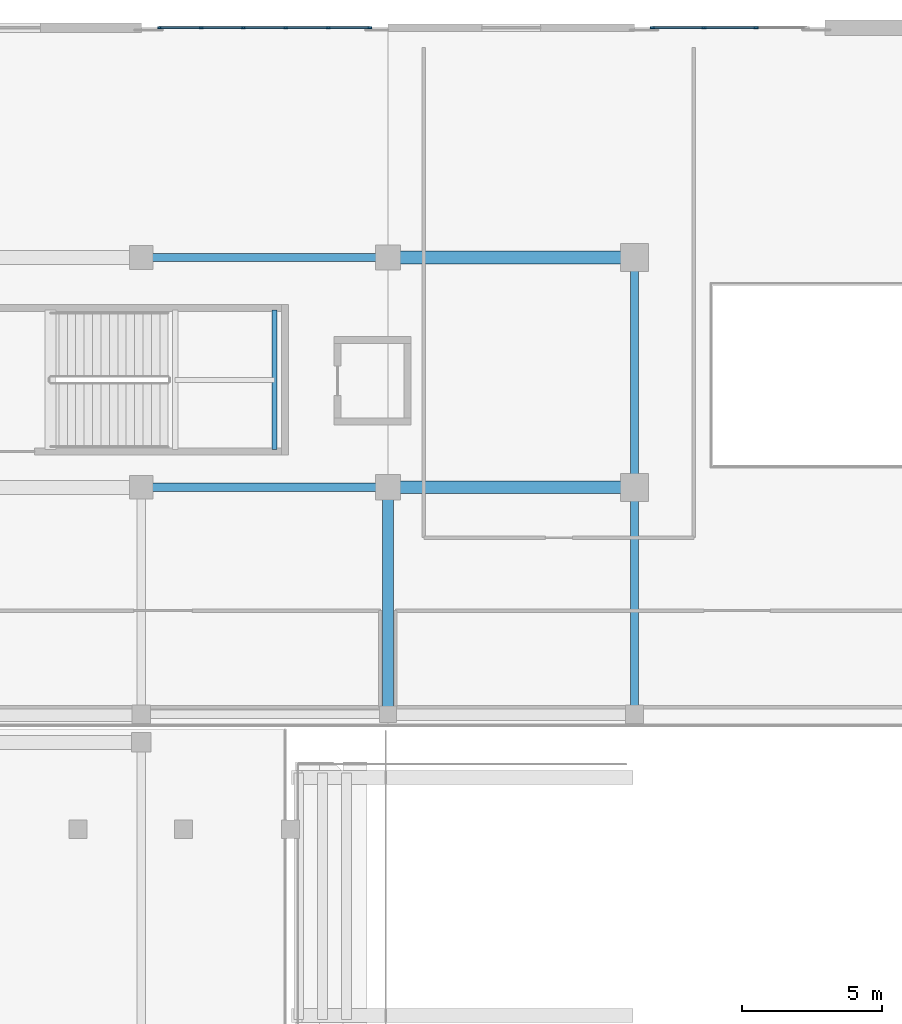
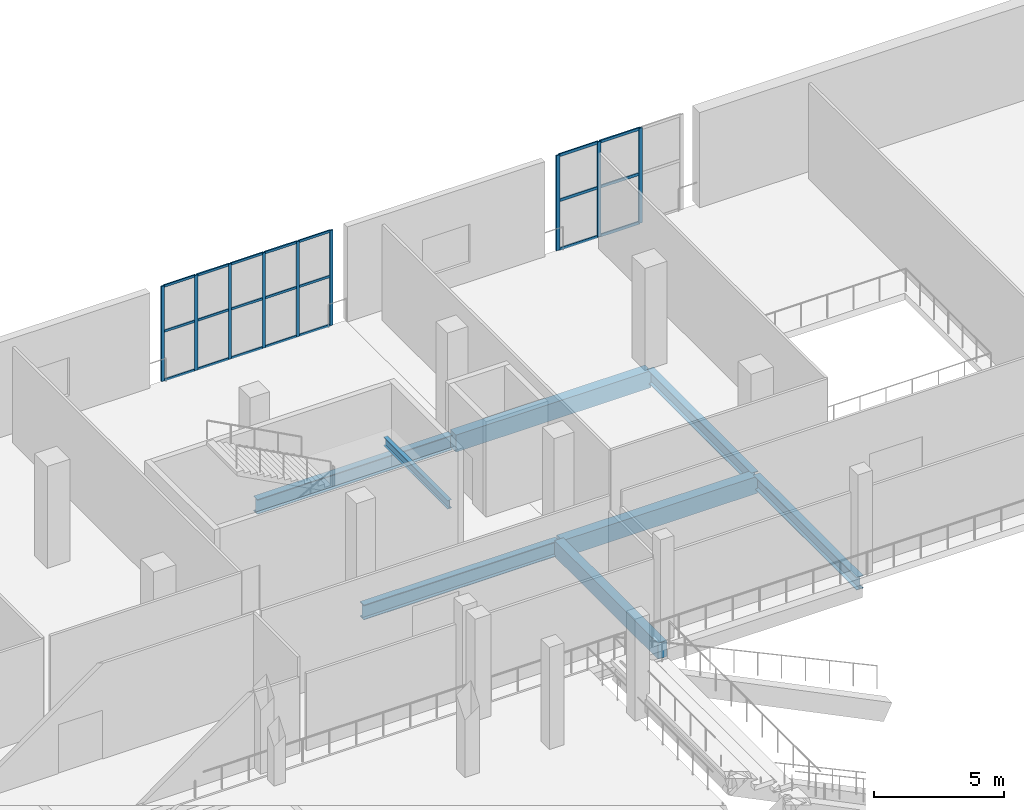
# One storey, part 50 of 129: 30 members, 8 beams, 2 elements without a shape of their own.
"""IFC4 building model written with IfcOpenShell, lengths in metres."""

from ifc_helpers import new_model, si_unit, direction, frame, origin, origin_2d, place, context, subcontext, project, spatial, rectangle, i_section, extrude, material, material_profile, profile_set, type_object, element, aggregate, save


model = new_model("IFC4")

# Units and contexts
model_context = context("Model", 3, precision=1e-05, world=origin(), true_north=direction((0.0, 1.0)))
body_context = subcontext(model_context, "Body", "Model", "MODEL_VIEW")
ifc_project = project(units=[si_unit("LENGTHUNIT", "METRE"), si_unit("AREAUNIT", "SQUARE_METRE"), si_unit("VOLUMEUNIT", "CUBIC_METRE"), si_unit("PLANEANGLEUNIT", "RADIAN"), si_unit("MASSUNIT", "GRAM", prefix="KILO")], contexts=[model_context])

# Site, building, storey
site_placement = place(None, origin())
site = spatial("IfcSite", under=ifc_project, at=site_placement, CompositionType="ELEMENT")
building_placement = place(site_placement, origin())
building = spatial("IfcBuilding", under=site, at=building_placement, Name="Koshinbarg Plaza Stadium", CompositionType="ELEMENT")
storey_placement = place(building_placement, frame((0.0, 0.0, 5.39990234375)))
storey = spatial("IfcBuildingStorey", under=building, at=storey_placement, Name="L01", CompositionType="ELEMENT", Elevation=5.39990234375)

# Beams
ifc_material_1 = material(Name="Concrete C40/50", Category="concrete")
ifc_material_profile_1 = material_profile(ifc_material_1, rectangle(XDim=0.39990234375, YDim=0.75, at=origin_2d()), Name="RC 400x750")
ifc_profile_set_1 = profile_set([ifc_material_profile_1], Name="Concrete C40/50")
beam_type_1 = type_object("IfcBeamType", Name="BM-RCG-03", PredefinedType="USERDEFINED", material=ifc_profile_set_1)
beam_1_placement = place(storey_placement, frame((72.39990234375, 127.56005859375, -0.69482421875), z_axis=(0.0, 1.0, 0.0), x_axis=(-1.0, 0.0, 0.0)))
element("IfcBeam", 1, at=beam_1_placement, inside=storey, type_object=beam_type_1, Name="L01 Y girder 10/S-T", ObjectType="GIRDER", PredefinedType="USERDEFINED", context=body_context, shape_type="SweptSolid", body=[
    extrude(rectangle(XDim=0.39990234375, YDim=0.75, at=origin_2d()), origin(), (0.0, 0.0, 1.0), 7.97998046875),
])
ifc_material_profile_2 = material_profile(ifc_material_1, rectangle(XDim=0.449951171875, YDim=0.800048828125, at=origin_2d()), Name="RC 450x800")
ifc_profile_set_2 = profile_set([ifc_material_profile_2], Name="Concrete C40/50")
beam_type_2 = type_object("IfcBeamType", Name="BM-RCG-04", PredefinedType="USERDEFINED", material=ifc_profile_set_2)
for number, where, z_axis, x_axis, name in (
    (2, (72.4599609375, 135.60009765625, -0.719970703125), (1.0, 0.0, 0.0), (0.0, 1.0, 0.0), "L01 X girder T/10-11"),
    (3, (72.4599609375, 143.800048828125, -0.719970703125), (1.0, 0.0, 0.0), (0.0, 1.0, 0.0), "L01 X girder U/10-11"),
):
    element("IfcBeam", number, at=place(storey_placement, frame(where, z_axis=z_axis, x_axis=x_axis)), inside=storey, type_object=beam_type_2, Name=name, ObjectType="GIRDER", PredefinedType="USERDEFINED", context=body_context, shape_type="SweptSolid", body=[
        extrude(rectangle(XDim=0.449951171875, YDim=0.800048828125, at=origin_2d()), origin(), (0.0, 0.0, 1.0), 8.679931640625),
    ])
ifc_material_2 = material(Name="Steel S355", Category="steel")
ifc_material_profile_3 = material_profile(ifc_material_2, i_section(OverallWidth=0.179931640625, OverallDepth=0.39990234375, WebThickness=0.008544921875, FlangeThickness=0.013427734375, at=origin_2d()), Name="IPE 400")
ifc_profile_set_3 = profile_set([ifc_material_profile_3], Name="Steel S355")
beam_type_3 = type_object("IfcBeamType", Name="BM-SBM-01", PredefinedType="BEAM", material=ifc_profile_set_3)
beam_2_placement = place(storey_placement, frame((68.35009765625, 136.949951171875, 1.880126953125), z_axis=(0.0, 1.0, 0.0), x_axis=(-1.0, 0.0, 0.0)))
element("IfcBeam", 4, at=beam_2_placement, inside=storey, type_object=beam_type_3, Name="L01 Protected Exit Stair C11 landing trimmer beam 2", PredefinedType="BEAM", context=body_context, shape_type="SweptSolid", body=[
    extrude(i_section(OverallWidth=0.179931640625, OverallDepth=0.39990234375, WebThickness=0.008544921875, FlangeThickness=0.013427734375, at=origin_2d()), origin(), (0.0, 0.0, 1.0), 4.969970703125),
])
ifc_material_profile_4 = material_profile(ifc_material_2, i_section(OverallWidth=0.300048828125, OverallDepth=0.60009765625, WebThickness=0.015380859375, FlangeThickness=0.030029296875, at=origin_2d()), Name="HEB 600")
ifc_profile_set_4 = profile_set([ifc_material_profile_4], Name="Steel S355")
beam_type_4 = type_object("IfcBeamType", Name="BM-SGIR-02", PredefinedType="USERDEFINED", material=ifc_profile_set_4)
beam_3_placement = place(storey_placement, frame((81.199951171875, 127.56005859375, -0.619873046875), z_axis=(0.0, 1.0, 0.0), x_axis=(-1.0, 0.0, 0.0)))
element("IfcBeam", 5, at=beam_3_placement, inside=storey, type_object=beam_type_4, Name="L01 Y girder 11/S-T", ObjectType="GIRDER", PredefinedType="USERDEFINED", context=body_context, shape_type="SweptSolid", body=[
    extrude(i_section(OverallWidth=0.300048828125, OverallDepth=0.60009765625, WebThickness=0.015380859375, FlangeThickness=0.030029296875, at=origin_2d()), origin(), (0.0, 0.0, 1.0), 7.97998046875),
])
beam_4_placement = place(storey_placement, frame((81.199951171875, 135.659912109375, -0.619873046875), z_axis=(0.0, 1.0, 0.0), x_axis=(-1.0, 0.0, 0.0)))
element("IfcBeam", 6, at=beam_4_placement, inside=storey, type_object=beam_type_4, Name="L01 Y girder 11/T-U", ObjectType="GIRDER", PredefinedType="USERDEFINED", context=body_context, shape_type="SweptSolid", body=[
    extrude(i_section(OverallWidth=0.300048828125, OverallDepth=0.60009765625, WebThickness=0.015380859375, FlangeThickness=0.030029296875, at=origin_2d()), origin(), (0.0, 0.0, 1.0), 8.080078125),
])
ifc_material_profile_5 = material_profile(ifc_material_2, i_section(OverallWidth=0.300048828125, OverallDepth=0.699951171875, WebThickness=0.01708984375, FlangeThickness=0.031982421875, at=origin_2d()), Name="HEB 700")
ifc_profile_set_5 = profile_set([ifc_material_profile_5], Name="Steel S355")
beam_type_5 = type_object("IfcBeamType", Name="BM-SGIR-03", PredefinedType="USERDEFINED", material=ifc_profile_set_5)
for number, where, z_axis, x_axis, name in (
    (7, (63.659912109375, 135.60009765625, -0.669921875), (1.0, 0.0, 0.0), (0.0, 1.0, 0.0), "L01 X girder T/9-10"),
    (8, (63.659912109375, 143.800048828125, -0.669921875), (1.0, 0.0, 0.0), (0.0, 1.0, 0.0), "L01 X girder U/9-10"),
):
    element("IfcBeam", number, at=place(storey_placement, frame(where, z_axis=z_axis, x_axis=x_axis)), inside=storey, type_object=beam_type_5, Name=name, ObjectType="GIRDER", PredefinedType="USERDEFINED", context=body_context, shape_type="SweptSolid", body=[
        extrude(i_section(OverallWidth=0.300048828125, OverallDepth=0.699951171875, WebThickness=0.01708984375, FlangeThickness=0.031982421875, at=origin_2d()), origin(), (0.0, 0.0, 1.0), 8.68017578125),
    ])

# Curtain wall, members
ifc_material_3 = material(Name="Thermally broken anodised aluminium and low-E double glazing", Category="aluminium")
curtain_wall_type_1 = type_object("IfcCurtainWallType", Name="CW-SYS-13", PredefinedType="NOTDEFINED", material=ifc_material_3)
curtain_wall_1_placement = place(storey_placement, origin())
curtain_wall_1 = element("IfcCurtainWall", 9, at=curtain_wall_1_placement, inside=storey, type_object=curtain_wall_type_1, Name="L01 unitised curtain wall CW-L01-012", PredefinedType="NOTDEFINED")
ifc_material_4 = material(Name="Anodised aluminium mullion", Category="aluminium")
ifc_material_profile_6 = material_profile(ifc_material_4, rectangle(XDim=0.06005859375, YDim=0.139892578125, at=origin_2d()), Name="ALU 60x140")
ifc_profile_set_6 = profile_set([ifc_material_profile_6], Name="Anodised aluminium mullion")
member_type_1 = type_object("IfcMemberType", Name="CW-MUL-01", PredefinedType="MULLION", material=ifc_profile_set_6)
member_1_placement = place(storey_placement, frame((64.25, 152.0, 0.0), z_axis=(0.0, 0.0, 1.0), x_axis=(0.0, 1.0, 0.0)))
member_1 = element("IfcMember", 10, at=member_1_placement, type_object=member_type_1, Name="CW13 mullion 1", PredefinedType="MULLION", context=body_context, shape_type="SweptSolid", body=[
    extrude(rectangle(XDim=0.06005859375, YDim=0.139892578125, at=origin_2d()), origin(), (0.0, 0.0, 1.0), 4.47998046875),
])
member_2_placement = place(storey_placement, frame((65.73193359375, 152.0, 0.0), z_axis=(0.0, 0.0, 1.0), x_axis=(0.0, 1.0, 0.0)))
member_2 = element("IfcMember", 11, at=member_2_placement, type_object=member_type_1, Name="CW13 mullion 2", PredefinedType="MULLION", context=body_context, shape_type="SweptSolid", body=[
    extrude(rectangle(XDim=0.06005859375, YDim=0.139892578125, at=origin_2d()), origin(), (0.0, 0.0, 1.0), 4.47998046875),
])
member_3_placement = place(storey_placement, frame((67.243896484375, 152.0, 0.0), z_axis=(0.0, 0.0, 1.0), x_axis=(0.0, 1.0, 0.0)))
member_3 = element("IfcMember", 12, at=member_3_placement, type_object=member_type_1, Name="CW13 mullion 3", PredefinedType="MULLION", context=body_context, shape_type="SweptSolid", body=[
    extrude(rectangle(XDim=0.06005859375, YDim=0.139892578125, at=origin_2d()), origin(), (0.0, 0.0, 1.0), 4.47998046875),
])
member_4_placement = place(storey_placement, frame((68.756103515625, 152.0, 0.0), z_axis=(0.0, 0.0, 1.0), x_axis=(0.0, 1.0, 0.0)))
member_4 = element("IfcMember", 13, at=member_4_placement, type_object=member_type_1, Name="CW13 mullion 4", PredefinedType="MULLION", context=body_context, shape_type="SweptSolid", body=[
    extrude(rectangle(XDim=0.06005859375, YDim=0.139892578125, at=origin_2d()), origin(), (0.0, 0.0, 1.0), 4.47998046875),
])
member_5_placement = place(storey_placement, frame((70.26806640625, 152.0, 0.0), z_axis=(0.0, 0.0, 1.0), x_axis=(0.0, 1.0, 0.0)))
member_5 = element("IfcMember", 14, at=member_5_placement, type_object=member_type_1, Name="CW13 mullion 5", PredefinedType="MULLION", context=body_context, shape_type="SweptSolid", body=[
    extrude(rectangle(XDim=0.06005859375, YDim=0.139892578125, at=origin_2d()), origin(), (0.0, 0.0, 1.0), 4.47998046875),
])
member_6_placement = place(storey_placement, frame((71.75, 152.0, 0.0), z_axis=(0.0, 0.0, 1.0), x_axis=(0.0, 1.0, 0.0)))
member_6 = element("IfcMember", 15, at=member_6_placement, type_object=member_type_1, Name="CW13 mullion 6", PredefinedType="MULLION", context=body_context, shape_type="SweptSolid", body=[
    extrude(rectangle(XDim=0.06005859375, YDim=0.139892578125, at=origin_2d()), origin(), (0.0, 0.0, 1.0), 4.47998046875),
])

curtain_wall_type_2 = type_object("IfcCurtainWallType", Name="CW-SYS-14", PredefinedType="NOTDEFINED", material=ifc_material_3)
curtain_wall_2_placement = place(storey_placement, origin())
curtain_wall_2 = element("IfcCurtainWall", 16, at=curtain_wall_2_placement, inside=storey, type_object=curtain_wall_type_2, Name="L01 unitised curtain wall CW-L01-013", PredefinedType="NOTDEFINED")
ifc_material_profile_7 = material_profile(ifc_material_4, rectangle(XDim=0.06005859375, YDim=0.159912109375, at=origin_2d()), Name="ALU 60x160")
ifc_profile_set_7 = profile_set([ifc_material_profile_7], Name="Anodised aluminium mullion")
member_type_2 = type_object("IfcMemberType", Name="CW-MUL-02", PredefinedType="MULLION", material=ifc_profile_set_7)
member_7_placement = place(storey_placement, frame((81.85009765625, 152.0, 0.0), z_axis=(0.0, 0.0, 1.0), x_axis=(0.0, 1.0, 0.0)))
member_7 = element("IfcMember", 17, at=member_7_placement, type_object=member_type_2, Name="CW14 mullion 1", PredefinedType="MULLION", context=body_context, shape_type="SweptSolid", body=[
    extrude(rectangle(XDim=0.06005859375, YDim=0.159912109375, at=origin_2d()), origin(), (0.0, 0.0, 1.0), 4.47998046875),
])
member_8_placement = place(storey_placement, frame((83.67333984375, 152.0, 0.0), z_axis=(0.0, 0.0, 1.0), x_axis=(0.0, 1.0, 0.0)))
member_8 = element("IfcMember", 18, at=member_8_placement, type_object=member_type_2, Name="CW14 mullion 2", PredefinedType="MULLION", context=body_context, shape_type="SweptSolid", body=[
    extrude(rectangle(XDim=0.06005859375, YDim=0.159912109375, at=origin_2d()), origin(), (0.0, 0.0, 1.0), 4.47998046875),
])
member_9_placement = place(storey_placement, frame((85.526611328125, 152.0, 0.0), z_axis=(0.0, 0.0, 1.0), x_axis=(0.0, 1.0, 0.0)))
member_9 = element("IfcMember", 19, at=member_9_placement, type_object=member_type_2, Name="CW14 mullion 3", PredefinedType="MULLION", context=body_context, shape_type="SweptSolid", body=[
    extrude(rectangle(XDim=0.06005859375, YDim=0.159912109375, at=origin_2d()), origin(), (0.0, 0.0, 1.0), 4.47998046875),
])

# Member
ifc_material_5 = material(Name="Anodised aluminium transom", Category="aluminium")
ifc_material_profile_8 = material_profile(ifc_material_5, rectangle(XDim=0.06005859375, YDim=0.110107421875, at=origin_2d()), Name="ALU 60x110")
ifc_profile_set_8 = profile_set([ifc_material_profile_8], Name="Anodised aluminium transom")
member_type_3 = type_object("IfcMemberType", Name="CW-TRN-01", PredefinedType="USERDEFINED", material=ifc_profile_set_8)
member_10_placement = place(storey_placement, frame((64.280029296875, 152.0, 0.030029296875), z_axis=(1.0, 0.0, 0.0), x_axis=(0.0, 1.0, 0.0)))
member_10 = element("IfcMember", 20, at=member_10_placement, type_object=member_type_3, Name="CW13 transom 1.1", ObjectType="TRANSOM", PredefinedType="USERDEFINED", context=body_context, shape_type="SweptSolid", body=[
    extrude(rectangle(XDim=0.06005859375, YDim=0.110107421875, at=origin_2d()), origin(), (0.0, 0.0, 1.0), 1.421875),
])

member_11_placement = place(storey_placement, frame((64.280029296875, 152.0, 2.32958984375), z_axis=(1.0, 0.0, 0.0), x_axis=(0.0, 1.0, 0.0)))
member_11 = element("IfcMember", 21, at=member_11_placement, type_object=member_type_3, Name="CW13 transom 1.2", ObjectType="TRANSOM", PredefinedType="USERDEFINED", context=body_context, shape_type="SweptSolid", body=[
    extrude(rectangle(XDim=0.06005859375, YDim=0.110107421875, at=origin_2d()), origin(), (0.0, 0.0, 1.0), 1.421875),
])

member_12_placement = place(storey_placement, frame((64.280029296875, 152.0, 4.4501953125), z_axis=(1.0, 0.0, 0.0), x_axis=(0.0, 1.0, 0.0)))
member_12 = element("IfcMember", 22, at=member_12_placement, type_object=member_type_3, Name="CW13 transom 1.3", ObjectType="TRANSOM", PredefinedType="USERDEFINED", context=body_context, shape_type="SweptSolid", body=[
    extrude(rectangle(XDim=0.06005859375, YDim=0.110107421875, at=origin_2d()), origin(), (0.0, 0.0, 1.0), 1.421875),
])

member_13_placement = place(storey_placement, frame((65.761962890625, 152.0, 0.030029296875), z_axis=(1.0, 0.0, 0.0), x_axis=(0.0, 1.0, 0.0)))
member_13 = element("IfcMember", 23, at=member_13_placement, type_object=member_type_3, Name="CW13 transom 2.1", ObjectType="TRANSOM", PredefinedType="USERDEFINED", context=body_context, shape_type="SweptSolid", body=[
    extrude(rectangle(XDim=0.06005859375, YDim=0.110107421875, at=origin_2d()), origin(), (0.0, 0.0, 1.0), 1.4521484375),
])

member_14_placement = place(storey_placement, frame((65.761962890625, 152.0, 2.32958984375), z_axis=(1.0, 0.0, 0.0), x_axis=(0.0, 1.0, 0.0)))
member_14 = element("IfcMember", 24, at=member_14_placement, type_object=member_type_3, Name="CW13 transom 2.2", ObjectType="TRANSOM", PredefinedType="USERDEFINED", context=body_context, shape_type="SweptSolid", body=[
    extrude(rectangle(XDim=0.06005859375, YDim=0.110107421875, at=origin_2d()), origin(), (0.0, 0.0, 1.0), 1.4521484375),
])

member_15_placement = place(storey_placement, frame((65.761962890625, 152.0, 4.4501953125), z_axis=(1.0, 0.0, 0.0), x_axis=(0.0, 1.0, 0.0)))
member_15 = element("IfcMember", 25, at=member_15_placement, type_object=member_type_3, Name="CW13 transom 2.3", ObjectType="TRANSOM", PredefinedType="USERDEFINED", context=body_context, shape_type="SweptSolid", body=[
    extrude(rectangle(XDim=0.06005859375, YDim=0.110107421875, at=origin_2d()), origin(), (0.0, 0.0, 1.0), 1.4521484375),
])

member_16_placement = place(storey_placement, frame((67.27392578125, 152.0, 0.030029296875), z_axis=(1.0, 0.0, 0.0), x_axis=(0.0, 1.0, 0.0)))
member_16 = element("IfcMember", 26, at=member_16_placement, type_object=member_type_3, Name="CW13 transom 3.1", ObjectType="TRANSOM", PredefinedType="USERDEFINED", context=body_context, shape_type="SweptSolid", body=[
    extrude(rectangle(XDim=0.06005859375, YDim=0.110107421875, at=origin_2d()), origin(), (0.0, 0.0, 1.0), 1.4521484375),
])

member_17_placement = place(storey_placement, frame((67.27392578125, 152.0, 2.32958984375), z_axis=(1.0, 0.0, 0.0), x_axis=(0.0, 1.0, 0.0)))
member_17 = element("IfcMember", 27, at=member_17_placement, type_object=member_type_3, Name="CW13 transom 3.2", ObjectType="TRANSOM", PredefinedType="USERDEFINED", context=body_context, shape_type="SweptSolid", body=[
    extrude(rectangle(XDim=0.06005859375, YDim=0.110107421875, at=origin_2d()), origin(), (0.0, 0.0, 1.0), 1.4521484375),
])

member_18_placement = place(storey_placement, frame((67.27392578125, 152.0, 4.4501953125), z_axis=(1.0, 0.0, 0.0), x_axis=(0.0, 1.0, 0.0)))
member_18 = element("IfcMember", 28, at=member_18_placement, type_object=member_type_3, Name="CW13 transom 3.3", ObjectType="TRANSOM", PredefinedType="USERDEFINED", context=body_context, shape_type="SweptSolid", body=[
    extrude(rectangle(XDim=0.06005859375, YDim=0.110107421875, at=origin_2d()), origin(), (0.0, 0.0, 1.0), 1.4521484375),
])

member_19_placement = place(storey_placement, frame((68.785888671875, 152.0, 0.030029296875), z_axis=(1.0, 0.0, 0.0), x_axis=(0.0, 1.0, 0.0)))
member_19 = element("IfcMember", 29, at=member_19_placement, type_object=member_type_3, Name="CW13 transom 4.1", ObjectType="TRANSOM", PredefinedType="USERDEFINED", context=body_context, shape_type="SweptSolid", body=[
    extrude(rectangle(XDim=0.06005859375, YDim=0.110107421875, at=origin_2d()), origin(), (0.0, 0.0, 1.0), 1.4521484375),
])

member_20_placement = place(storey_placement, frame((68.785888671875, 152.0, 2.32958984375), z_axis=(1.0, 0.0, 0.0), x_axis=(0.0, 1.0, 0.0)))
member_20 = element("IfcMember", 30, at=member_20_placement, type_object=member_type_3, Name="CW13 transom 4.2", ObjectType="TRANSOM", PredefinedType="USERDEFINED", context=body_context, shape_type="SweptSolid", body=[
    extrude(rectangle(XDim=0.06005859375, YDim=0.110107421875, at=origin_2d()), origin(), (0.0, 0.0, 1.0), 1.4521484375),
])

member_21_placement = place(storey_placement, frame((68.785888671875, 152.0, 4.4501953125), z_axis=(1.0, 0.0, 0.0), x_axis=(0.0, 1.0, 0.0)))
member_21 = element("IfcMember", 31, at=member_21_placement, type_object=member_type_3, Name="CW13 transom 4.3", ObjectType="TRANSOM", PredefinedType="USERDEFINED", context=body_context, shape_type="SweptSolid", body=[
    extrude(rectangle(XDim=0.06005859375, YDim=0.110107421875, at=origin_2d()), origin(), (0.0, 0.0, 1.0), 1.4521484375),
])

member_22_placement = place(storey_placement, frame((70.298095703125, 152.0, 0.030029296875), z_axis=(1.0, 0.0, 0.0), x_axis=(0.0, 1.0, 0.0)))
member_22 = element("IfcMember", 32, at=member_22_placement, type_object=member_type_3, Name="CW13 transom 5.1", ObjectType="TRANSOM", PredefinedType="USERDEFINED", context=body_context, shape_type="SweptSolid", body=[
    extrude(rectangle(XDim=0.06005859375, YDim=0.110107421875, at=origin_2d()), origin(), (0.0, 0.0, 1.0), 1.421875),
])

member_23_placement = place(storey_placement, frame((70.298095703125, 152.0, 2.32958984375), z_axis=(1.0, 0.0, 0.0), x_axis=(0.0, 1.0, 0.0)))
member_23 = element("IfcMember", 33, at=member_23_placement, type_object=member_type_3, Name="CW13 transom 5.2", ObjectType="TRANSOM", PredefinedType="USERDEFINED", context=body_context, shape_type="SweptSolid", body=[
    extrude(rectangle(XDim=0.06005859375, YDim=0.110107421875, at=origin_2d()), origin(), (0.0, 0.0, 1.0), 1.421875),
])

member_24_placement = place(storey_placement, frame((70.298095703125, 152.0, 4.4501953125), z_axis=(1.0, 0.0, 0.0), x_axis=(0.0, 1.0, 0.0)))
member_24 = element("IfcMember", 34, at=member_24_placement, type_object=member_type_3, Name="CW13 transom 5.3", ObjectType="TRANSOM", PredefinedType="USERDEFINED", context=body_context, shape_type="SweptSolid", body=[
    extrude(rectangle(XDim=0.06005859375, YDim=0.110107421875, at=origin_2d()), origin(), (0.0, 0.0, 1.0), 1.421875),
])

aggregate(curtain_wall_1, [member_1, member_2, member_3, member_4, member_5, member_6, member_10, member_11, member_12, member_13, member_14, member_15, member_16, member_17, member_18, member_19, member_20, member_21, member_22, member_23, member_24])

ifc_material_profile_9 = material_profile(ifc_material_5, rectangle(XDim=0.06005859375, YDim=0.1298828125, at=origin_2d()), Name="ALU 60x130")
ifc_profile_set_9 = profile_set([ifc_material_profile_9], Name="Anodised aluminium transom")
member_type_4 = type_object("IfcMemberType", Name="CW-TRN-02", PredefinedType="USERDEFINED", material=ifc_profile_set_9)
member_25_placement = place(storey_placement, frame((81.8798828125, 152.0, 0.030029296875), z_axis=(1.0, 0.0, 0.0), x_axis=(0.0, 1.0, 0.0)))
member_25 = element("IfcMember", 35, at=member_25_placement, type_object=member_type_4, Name="CW14 transom 1.1", ObjectType="TRANSOM", PredefinedType="USERDEFINED", context=body_context, shape_type="SweptSolid", body=[
    extrude(rectangle(XDim=0.06005859375, YDim=0.1298828125, at=origin_2d()), origin(), (0.0, 0.0, 1.0), 1.763427734375),
])

member_26_placement = place(storey_placement, frame((81.8798828125, 152.0, 2.32958984375), z_axis=(1.0, 0.0, 0.0), x_axis=(0.0, 1.0, 0.0)))
member_26 = element("IfcMember", 36, at=member_26_placement, type_object=member_type_4, Name="CW14 transom 1.2", ObjectType="TRANSOM", PredefinedType="USERDEFINED", context=body_context, shape_type="SweptSolid", body=[
    extrude(rectangle(XDim=0.06005859375, YDim=0.1298828125, at=origin_2d()), origin(), (0.0, 0.0, 1.0), 1.763427734375),
])

member_27_placement = place(storey_placement, frame((81.8798828125, 152.0, 4.4501953125), z_axis=(1.0, 0.0, 0.0), x_axis=(0.0, 1.0, 0.0)))
member_27 = element("IfcMember", 37, at=member_27_placement, type_object=member_type_4, Name="CW14 transom 1.3", ObjectType="TRANSOM", PredefinedType="USERDEFINED", context=body_context, shape_type="SweptSolid", body=[
    extrude(rectangle(XDim=0.06005859375, YDim=0.1298828125, at=origin_2d()), origin(), (0.0, 0.0, 1.0), 1.763427734375),
])

member_28_placement = place(storey_placement, frame((83.703369140625, 152.0, 0.030029296875), z_axis=(1.0, 0.0, 0.0), x_axis=(0.0, 1.0, 0.0)))
member_28 = element("IfcMember", 38, at=member_28_placement, type_object=member_type_4, Name="CW14 transom 2.1", ObjectType="TRANSOM", PredefinedType="USERDEFINED", context=body_context, shape_type="SweptSolid", body=[
    extrude(rectangle(XDim=0.06005859375, YDim=0.1298828125, at=origin_2d()), origin(), (0.0, 0.0, 1.0), 1.793212890625),
])

member_29_placement = place(storey_placement, frame((83.703369140625, 152.0, 2.32958984375), z_axis=(1.0, 0.0, 0.0), x_axis=(0.0, 1.0, 0.0)))
member_29 = element("IfcMember", 39, at=member_29_placement, type_object=member_type_4, Name="CW14 transom 2.2", ObjectType="TRANSOM", PredefinedType="USERDEFINED", context=body_context, shape_type="SweptSolid", body=[
    extrude(rectangle(XDim=0.06005859375, YDim=0.1298828125, at=origin_2d()), origin(), (0.0, 0.0, 1.0), 1.793212890625),
])

member_30_placement = place(storey_placement, frame((83.703369140625, 152.0, 4.4501953125), z_axis=(1.0, 0.0, 0.0), x_axis=(0.0, 1.0, 0.0)))
member_30 = element("IfcMember", 40, at=member_30_placement, type_object=member_type_4, Name="CW14 transom 2.3", ObjectType="TRANSOM", PredefinedType="USERDEFINED", context=body_context, shape_type="SweptSolid", body=[
    extrude(rectangle(XDim=0.06005859375, YDim=0.1298828125, at=origin_2d()), origin(), (0.0, 0.0, 1.0), 1.793212890625),
])

aggregate(curtain_wall_2, [member_7, member_8, member_9, member_25, member_26, member_27, member_28, member_29, member_30])

save(model, "model.ifc")
